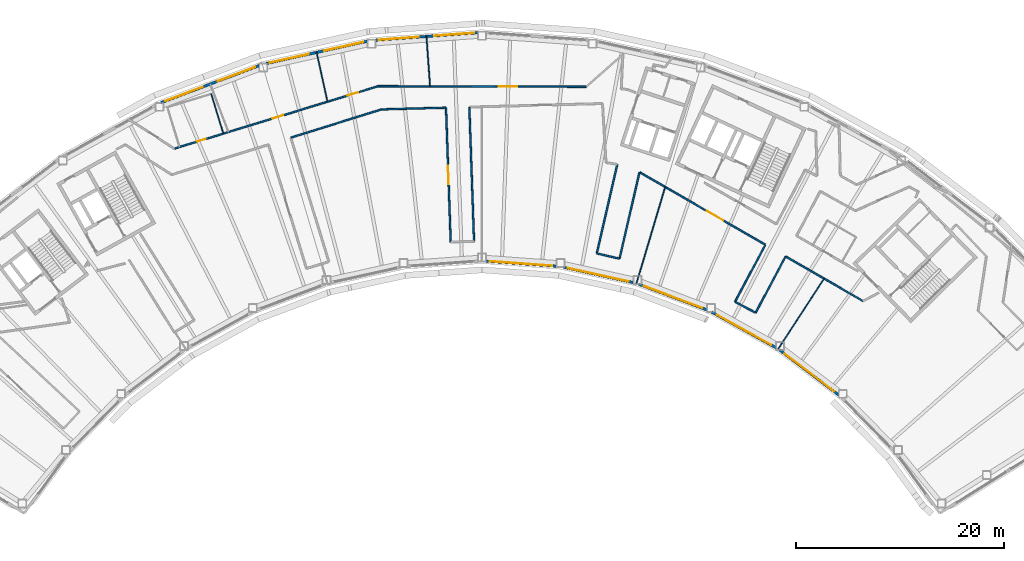
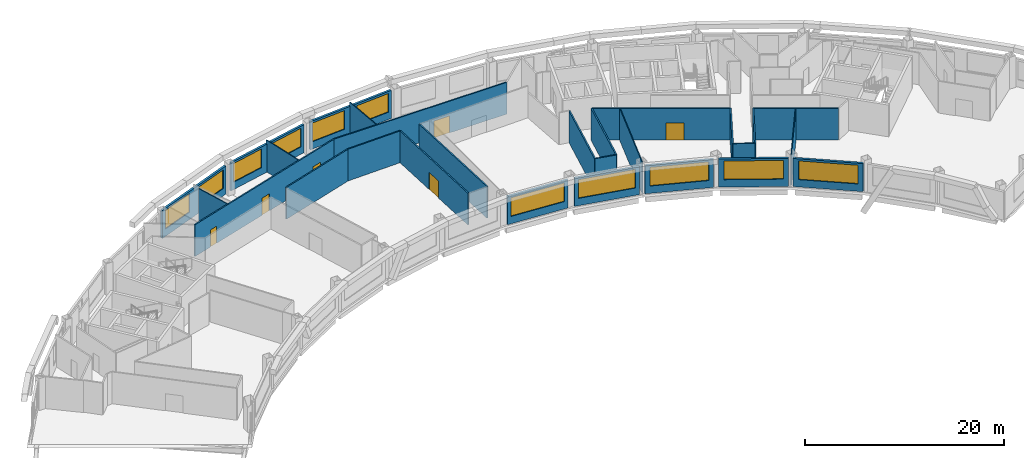
# One storey, part 7 of 13: 27 walls, 11 windows, 6 doors, 17 openings.
"""IFC4 building model written with IfcOpenShell, lengths in metres."""

from ifc_helpers import new_model, si_unit, direction, frame, frame_2d, origin, place, context, subcontext, project, spatial, rectangle, extrude, material, layer, layer_set, type_object, element, fill, save


model = new_model("IFC4")

# Units and contexts
model_context = context("Model", 3, precision=1e-05, world=origin(), true_north=direction((0.0, 1.0)))
body_context = subcontext(model_context, "Body", "Model", "MODEL_VIEW")
ifc_project = project(units=[si_unit("LENGTHUNIT", "METRE"), si_unit("AREAUNIT", "SQUARE_METRE"), si_unit("VOLUMEUNIT", "CUBIC_METRE"), si_unit("PLANEANGLEUNIT", "RADIAN"), si_unit("MASSUNIT", "GRAM", prefix="KILO")], contexts=[model_context])

# Site, building, storey
site_placement = place(None, origin())
site = spatial("IfcSite", under=ifc_project, at=site_placement, CompositionType="ELEMENT")
building_placement = place(site_placement, origin())
building = spatial("IfcBuilding", under=site, at=building_placement, Name="Tuul Gate Civic Tower", CompositionType="ELEMENT")
storey_placement = place(building_placement, frame((0.0, 0.0, 290.0)))
storey = spatial("IfcBuildingStorey", under=building, at=storey_placement, Name="Level 65", CompositionType="ELEMENT", Elevation=290.0)

# Wall, opening, door
ifc_material_1 = material(Name="Gypsum board partition")
ifc_layer_1 = layer(ifc_material_1, 0.14990234375)
ifc_layer_set_1 = layer_set([ifc_layer_1], Name="Gypsum board partition")
wall_type_1 = type_object("IfcWallType", Name="Corridor wall P150", PredefinedType="PARTITIONING", material=ifc_layer_set_1)
wall_1_placement = place(storey_placement, frame((-3.21337890625, 4.37158203125, 0.0), z_axis=(0.0, 0.0, 1.0), x_axis=(0.999996537245, -0.002631633958, 0.0)))
wall_1 = element("IfcWall", 1, at=wall_1_placement, inside=storey, type_object=wall_type_1, Name="p025", PredefinedType="PARTITIONING", context=body_context, shape_type="SweptSolid", body=[
    extrude(rectangle(XDim=20.03857421875, YDim=0.14990234375, at=frame_2d((10.019287109375, 0.0))), origin(), (0.0, 0.0, 1.0), 3.89990234375),
])
opening_1_placement = place(wall_1_placement, frame((11.620361328125, 0.0, 0.0)))
opening_1 = element("IfcOpeningElement", 2, at=opening_1_placement, cuts=wall_1, Name="Opening X-D03", PredefinedType="OPENING", context=body_context, shape_type="SweptSolid", body=[
    extrude(rectangle(XDim=1.800048828125, YDim=2.10009765625, at=frame_2d((0.89990234375, 1.050048828125))), frame((0.0, 0.0849609375, 0.0), z_axis=(0.0, -1.0, 0.0), x_axis=(1.0, 0.0, 0.0)), (0.0, 0.0, 1.0), 0.169921875),
])
ifc_material_2 = material(Name="Timber door leaf, double", Category="wood")
door_type_1 = type_object("IfcDoorType", Name="Door D18", OperationType="DOUBLE_DOOR_SINGLE_SWING", PredefinedType="DOOR", material=ifc_material_2)
door_1_placement = place(opening_1_placement, origin())
door_1 = element("IfcDoor", 3, at=door_1_placement, inside=storey, type_object=door_type_1, Name="Door X-D03", OperationType="DOUBLE_DOOR_SINGLE_SWING", OverallHeight=2.10009765625, OverallWidth=1.800048828125, PredefinedType="DOOR", context=body_context, shape_type="SweptSolid", body=[
    extrude(rectangle(XDim=1.800048828125, YDim=2.10009765625, at=frame_2d((0.89990234375, 1.050048828125))), frame((0.0, 0.02490234375, 0.0), z_axis=(0.0, -1.0, 0.0), x_axis=(1.0, 0.0, 0.0)), (0.0, 0.0, 1.0), 0.050048828125),
])
fill(opening_1, door_1)

# Wall, openings, doors
wall_2_placement = place(storey_placement, frame((-22.855712890625, -1.640869140625, 0.0), z_axis=(0.0, 0.0, 1.0), x_axis=(0.956204096899, 0.292700743207, 0.0)))
wall_2 = element("IfcWall", 4, at=wall_2_placement, inside=storey, type_object=wall_type_1, Name="p027", PredefinedType="PARTITIONING", context=body_context, shape_type="SweptSolid", body=[
    extrude(rectangle(XDim=20.54052734375, YDim=0.14990234375, at=frame_2d((10.270263671875, 0.0))), origin(), (0.0, 0.0, 1.0), 3.89990234375),
])
opening_2_placement = place(wall_2_placement, frame((17.437255859375, 0.0, 0.0)))
opening_2 = element("IfcOpeningElement", 5, at=opening_2_placement, cuts=wall_2, Name="Opening X-D04", PredefinedType="OPENING", context=body_context, shape_type="SweptSolid", body=[
    extrude(rectangle(XDim=1.10009765625, YDim=2.10009765625, at=frame_2d((0.550048828125, 1.050048828125))), frame((0.0, 0.0849609375, 0.0), z_axis=(0.0, -1.0, 0.0), x_axis=(1.0, 0.0, 0.0)), (0.0, 0.0, 1.0), 0.169921875),
])
opening_3_placement = place(wall_2_placement, frame((9.89013671875, 0.0, 0.0)))
opening_3 = element("IfcOpeningElement", 6, at=opening_3_placement, cuts=wall_2, Name="Opening X-D05", PredefinedType="OPENING", context=body_context, shape_type="SweptSolid", body=[
    extrude(rectangle(XDim=1.10009765625, YDim=2.10009765625, at=frame_2d((0.550048828125, 1.050048828125))), frame((0.0, 0.0849609375, 0.0), z_axis=(0.0, -1.0, 0.0), x_axis=(1.0, 0.0, 0.0)), (0.0, 0.0, 1.0), 0.169921875),
])
opening_4_placement = place(wall_2_placement, frame((2.278076171875, 0.0, 0.0)))
opening_4 = element("IfcOpeningElement", 7, at=opening_4_placement, cuts=wall_2, Name="Opening X-D06", PredefinedType="OPENING", context=body_context, shape_type="SweptSolid", body=[
    extrude(rectangle(XDim=0.89990234375, YDim=2.10009765625, at=frame_2d((0.449951171875, 1.050048828125))), frame((0.0, 0.0849609375, 0.0), z_axis=(0.0, -1.0, 0.0), x_axis=(1.0, 0.0, 0.0)), (0.0, 0.0, 1.0), 0.169921875),
])
ifc_material_3 = material(Name="Timber door leaf", Category="wood")
door_type_2 = type_object("IfcDoorType", Name="Door D09", OperationType="NOTDEFINED", PredefinedType="DOOR", material=ifc_material_3)
door_2_placement = place(opening_4_placement, origin())
door_2 = element("IfcDoor", 8, at=door_2_placement, inside=storey, type_object=door_type_2, Name="Door X-D06", OperationType="SINGLE_SWING_RIGHT", OverallHeight=2.10009765625, OverallWidth=0.89990234375, PredefinedType="DOOR", context=body_context, shape_type="SweptSolid", body=[
    extrude(rectangle(XDim=0.89990234375, YDim=2.10009765625, at=frame_2d((0.449951171875, 1.050048828125))), frame((0.0, 0.02490234375, 0.0), z_axis=(0.0, -1.0, 0.0), x_axis=(1.0, 0.0, 0.0)), (0.0, 0.0, 1.0), 0.050048828125),
])
fill(opening_4, door_2)
ifc_material_4 = material(Name="Timber door leaf", Category="wood")
door_type_3 = type_object("IfcDoorType", Name="Door D11", OperationType="NOTDEFINED", PredefinedType="DOOR", material=ifc_material_4)
door_3_placement = place(opening_2_placement, origin())
door_3 = element("IfcDoor", 9, at=door_3_placement, inside=storey, type_object=door_type_3, Name="Door X-D04", OperationType="SINGLE_SWING_RIGHT", OverallHeight=2.10009765625, OverallWidth=1.10009765625, PredefinedType="DOOR", context=body_context, shape_type="SweptSolid", body=[
    extrude(rectangle(XDim=1.10009765625, YDim=2.10009765625, at=frame_2d((0.550048828125, 1.050048828125))), frame((0.0, 0.02490234375, 0.0), z_axis=(0.0, -1.0, 0.0), x_axis=(1.0, 0.0, 0.0)), (0.0, 0.0, 1.0), 0.050048828125),
])
fill(opening_2, door_3)
door_4_placement = place(opening_3_placement, origin())
door_4 = element("IfcDoor", 10, at=door_4_placement, inside=storey, type_object=door_type_3, Name="Door X-D05", OperationType="SINGLE_SWING_RIGHT", OverallHeight=2.10009765625, OverallWidth=1.10009765625, PredefinedType="DOOR", context=body_context, shape_type="SweptSolid", body=[
    extrude(rectangle(XDim=1.10009765625, YDim=2.10009765625, at=frame_2d((0.550048828125, 1.050048828125))), frame((0.0, 0.02490234375, 0.0), z_axis=(0.0, -1.0, 0.0), x_axis=(1.0, 0.0, 0.0)), (0.0, 0.0, 1.0), 0.050048828125),
])
fill(opening_3, door_4)

# Wall, opening, door
wall_3_placement = place(storey_placement, frame((21.993408203125, -3.923828125, 0.0), z_axis=(0.0, 0.0, 1.0), x_axis=(0.866338745538, -0.499456883004, 0.0)))
wall_3 = element("IfcWall", 11, at=wall_3_placement, inside=storey, type_object=wall_type_1, Name="p048", PredefinedType="PARTITIONING", context=body_context, shape_type="SweptSolid", body=[
    extrude(rectangle(XDim=13.955078125, YDim=0.14990234375, at=frame_2d((6.9775390625, 0.0))), origin(), (0.0, 0.0, 1.0), 3.89990234375),
])
opening_5_placement = place(wall_3_placement, frame((7.491455078125, 0.0, 0.0)))
opening_5 = element("IfcOpeningElement", 12, at=opening_5_placement, cuts=wall_3, Name="Opening X-D09", PredefinedType="OPENING", context=body_context, shape_type="SweptSolid", body=[
    extrude(rectangle(XDim=1.800048828125, YDim=2.10009765625, at=frame_2d((0.89990234375, 1.050048828125))), frame((0.0, 0.0849609375, 0.0), z_axis=(0.0, -1.0, 0.0), x_axis=(1.0, 0.0, 0.0)), (0.0, 0.0, 1.0), 0.169921875),
])
door_5_placement = place(opening_5_placement, frame((1.800048828125, 0.0, 0.0), z_axis=(0.0, 0.0, 1.0), x_axis=(-1.0, 0.0, 0.0)))
door_5 = element("IfcDoor", 13, at=door_5_placement, inside=storey, type_object=door_type_1, Name="Door X-D09", OperationType="DOUBLE_DOOR_SINGLE_SWING", OverallHeight=2.10009765625, OverallWidth=1.800048828125, PredefinedType="DOOR", context=body_context, shape_type="SweptSolid", body=[
    extrude(rectangle(XDim=1.800048828125, YDim=2.10009765625, at=frame_2d((0.900146484375, 1.050048828125))), frame((0.0, 0.02490234375, 0.0), z_axis=(0.0, -1.0, 0.0), x_axis=(1.0, 0.0, 0.0)), (0.0, 0.0, 1.0), 0.050048828125),
])
fill(opening_5, door_5)

# Walls
wall_4_placement = place(storey_placement, frame((36.069091796875, -12.038818359375, 0.0), z_axis=(0.0, 0.0, 1.0), x_axis=(0.866348277937, -0.499440348105, 0.0)))
element("IfcWall", 14, at=wall_4_placement, inside=storey, type_object=wall_type_1, Name="p049", PredefinedType="PARTITIONING", context=body_context, shape_type="SweptSolid", body=[
    extrude(rectangle(XDim=8.591552734375, YDim=0.14990234375, at=frame_2d((4.2958984375, 0.0))), origin(), (0.0, 0.0, 1.0), 3.89990234375),
])
wall_5_placement = place(storey_placement, frame((31.176513671875, -16.40283203125, 0.0), z_axis=(0.0, 0.0, 1.0), x_axis=(0.469487753486, 0.88293898392, 0.0)))
element("IfcWall", 15, at=wall_5_placement, inside=storey, type_object=wall_type_1, Name="p052", PredefinedType="PARTITIONING", context=body_context, shape_type="SweptSolid", body=[
    extrude(rectangle(XDim=6.20849609375, YDim=0.14990234375, at=frame_2d((3.104248046875, 0.0))), origin(), (0.0, 0.0, 1.0), 3.89990234375),
])
wall_6_placement = place(storey_placement, frame((31.1767578125, -16.40380859375, 0.0), z_axis=(0.0, 0.0, 1.0), x_axis=(0.88294134125, -0.469483320163, 0.0)))
element("IfcWall", 16, at=wall_6_placement, inside=storey, type_object=wall_type_1, Name="p054", PredefinedType="PARTITIONING", context=body_context, shape_type="SweptSolid", body=[
    extrude(rectangle(XDim=2.24853515625, YDim=0.14990234375, at=frame_2d((1.124267578125, 0.0))), origin(), (0.0, 0.0, 1.0), 3.89990234375),
])
wall_7_placement = place(storey_placement, frame((33.1630859375, -17.458984375, 0.0), z_axis=(0.0, 0.0, 1.0), x_axis=(0.469504641219, 0.882930003949, 0.0)))
element("IfcWall", 17, at=wall_7_placement, inside=storey, type_object=wall_type_1, Name="p055", PredefinedType="PARTITIONING", context=body_context, shape_type="SweptSolid", body=[
    extrude(rectangle(XDim=6.129638671875, YDim=0.14990234375, at=frame_2d((3.06494140625, 0.0))), origin(), (0.0, 0.0, 1.0), 3.89990234375),
])
wall_8_placement = place(storey_placement, frame((-2.88818359375, 2.138427734375, 0.0), z_axis=(0.0, 0.0, 1.0), x_axis=(0.999648112488, 0.026526424561, 0.0)))
element("IfcWall", 18, at=wall_8_placement, inside=storey, type_object=wall_type_1, Name="p058", PredefinedType="PARTITIONING", context=body_context, shape_type="SweptSolid", body=[
    extrude(rectangle(XDim=6.194091796875, YDim=0.14990234375, at=frame_2d((3.09716796875, 0.0))), origin(), (0.0, 0.0, 1.0), 3.89990234375),
])
wall_9_placement = place(storey_placement, frame((17.8525390625, -11.740478515625, 0.0), z_axis=(0.0, 0.0, 1.0), x_axis=(0.224944785676, 0.974371512, 0.0)))
element("IfcWall", 19, at=wall_9_placement, inside=storey, type_object=wall_type_1, Name="p062", PredefinedType="PARTITIONING", context=body_context, shape_type="SweptSolid", body=[
    extrude(rectangle(XDim=8.781494140625, YDim=0.14990234375, at=frame_2d((4.390625, 0.0))), origin(), (0.0, 0.0, 1.0), 3.89990234375),
])
wall_10_placement = place(storey_placement, frame((17.853271484375, -11.741455078125, 0.0), z_axis=(0.0, 0.0, 1.0), x_axis=(0.974365570195, -0.224970521667, 0.0)))
element("IfcWall", 20, at=wall_10_placement, inside=storey, type_object=wall_type_1, Name="p063", PredefinedType="PARTITIONING", context=body_context, shape_type="SweptSolid", body=[
    extrude(rectangle(XDim=2.24853515625, YDim=0.14990234375, at=frame_2d((1.124267578125, 0.0))), origin(), (0.0, 0.0, 1.0), 3.89990234375),
])
wall_11_placement = place(storey_placement, frame((20.044921875, -12.24658203125, 0.0), z_axis=(0.0, 0.0, 1.0), x_axis=(0.224949406765, 0.974370445157, 0.0)))
element("IfcWall", 21, at=wall_11_placement, inside=storey, type_object=wall_type_1, Name="p064", PredefinedType="PARTITIONING", context=body_context, shape_type="SweptSolid", body=[
    extrude(rectangle(XDim=8.5283203125, YDim=0.14990234375, at=frame_2d((4.26416015625, 0.0))), origin(), (0.0, 0.0, 1.0), 3.89990234375),
])
wall_12_placement = place(storey_placement, frame((-11.6083984375, -0.576904296875, 0.0), z_axis=(0.0, 0.0, 1.0), x_axis=(0.954751837595, 0.297403645926, 0.0)))
element("IfcWall", 22, at=wall_12_placement, inside=storey, type_object=wall_type_1, Name="p069", PredefinedType="PARTITIONING", context=body_context, shape_type="SweptSolid", body=[
    extrude(rectangle(XDim=9.126953125, YDim=0.14990234375, at=frame_2d((4.5634765625, 0.0))), origin(), (0.0, 0.0, 1.0), 3.89990234375),
])

# Wall, opening, door
wall_13_placement = place(storey_placement, frame((3.32470703125, 2.282958984375, 0.0), z_axis=(0.0, 0.0, 1.0), x_axis=(0.034876981924, -0.999391612999, 0.0)))
wall_13 = element("IfcWall", 23, at=wall_13_placement, inside=storey, type_object=wall_type_1, Name="p070", PredefinedType="PARTITIONING", context=body_context, shape_type="SweptSolid", body=[
    extrude(rectangle(XDim=12.93603515625, YDim=0.14990234375, at=frame_2d((6.468017578125, 0.0))), origin(), (0.0, 0.0, 1.0), 3.89990234375),
])
opening_6_placement = place(wall_13_placement, frame((5.568115234375, 0.0, 0.0)))
opening_6 = element("IfcOpeningElement", 24, at=opening_6_placement, cuts=wall_13, Name="Opening X-D11", PredefinedType="OPENING", context=body_context, shape_type="SweptSolid", body=[
    extrude(rectangle(XDim=1.800048828125, YDim=2.10009765625, at=frame_2d((0.89990234375, 1.050048828125))), frame((0.0, 0.0849609375, 0.0), z_axis=(0.0, -1.0, 0.0), x_axis=(1.0, 0.0, 0.0)), (0.0, 0.0, 1.0), 0.169921875),
])
door_6_placement = place(opening_6_placement, frame((1.800048828125, 0.0, 0.0), z_axis=(0.0, 0.0, 1.0), x_axis=(-1.0, 0.0, 0.0)))
door_6 = element("IfcDoor", 25, at=door_6_placement, inside=storey, type_object=door_type_1, Name="Door X-D11", OperationType="DOUBLE_DOOR_SINGLE_SWING", OverallHeight=2.10009765625, OverallWidth=1.800048828125, PredefinedType="DOOR", context=body_context, shape_type="SweptSolid", body=[
    extrude(rectangle(XDim=1.800048828125, YDim=2.10009765625, at=frame_2d((0.900146484375, 1.050048828125))), frame((0.0, 0.02490234375, 0.0), z_axis=(0.0, -1.0, 0.0), x_axis=(1.0, 0.0, 0.0)), (0.0, 0.0, 1.0), 0.050048828125),
])
fill(opening_6, door_6)

# Wall
wall_14_placement = place(storey_placement, frame((5.573974609375, 2.34228515625, 0.0), z_axis=(0.0, 0.0, 1.0), x_axis=(0.034891271808, -0.999391114205, 0.0)))
element("IfcWall", 26, at=wall_14_placement, inside=storey, type_object=wall_type_1, Name="p073", PredefinedType="PARTITIONING", context=body_context, shape_type="SweptSolid", body=[
    extrude(rectangle(XDim=12.916748046875, YDim=0.14990234375, at=frame_2d((6.45849609375, 0.0))), origin(), (0.0, 0.0, 1.0), 3.89990234375),
])

# Wall, openings, windows
ifc_material_5 = material(Name="Precast concrete C40/50", Category="concrete")
ifc_layer_2 = layer(ifc_material_5, 0.25)
ifc_layer_set_2 = layer_set([ifc_layer_2], Name="Precast concrete C40/50")
wall_type_2 = type_object("IfcWallType", Name="External wall", PredefinedType="STANDARD", material=ifc_layer_set_2)
wall_15_placement = place(storey_placement, frame((6.387939453125, 9.52880859375, 0.0), z_axis=(0.0, 0.0, 1.0), x_axis=(-0.997387042659, -0.072243249762, 0.0)))
wall_15 = element("IfcWall", 27, at=wall_15_placement, inside=storey, type_object=wall_type_2, Name="External wall", PredefinedType="STANDARD", context=body_context, shape_type="SweptSolid", body=[
    extrude(rectangle(XDim=9.874755859375, YDim=0.25, at=frame_2d((4.9375, 0.0))), origin(), (0.0, 0.0, 1.0), 3.449951171875),
])
opening_7_placement = place(wall_15_placement, frame((0.350341796875, 0.0, 0.89990234375)))
opening_7 = element("IfcOpeningElement", 28, at=opening_7_placement, cuts=wall_15, Name="Opening W22", PredefinedType="OPENING", context=body_context, shape_type="SweptSolid", body=[
    extrude(rectangle(XDim=3.85009765625, YDim=2.300048828125, at=frame_2d((1.925048828125, 1.14990234375))), frame((0.0, 0.135009765625, 0.0), z_axis=(0.0, -1.0, 0.0), x_axis=(1.0, 0.0, 0.0)), (0.0, 0.0, 1.0), 0.27001953125),
])
opening_8_placement = place(wall_15_placement, frame((5.721435546875, 0.0, 0.89990234375)))
opening_8 = element("IfcOpeningElement", 29, at=opening_8_placement, cuts=wall_15, Name="Opening W22", PredefinedType="OPENING", context=body_context, shape_type="SweptSolid", body=[
    extrude(rectangle(XDim=3.85009765625, YDim=2.300048828125, at=frame_2d((1.925048828125, 1.14990234375))), frame((0.0, 0.135009765625, 0.0), z_axis=(0.0, -1.0, 0.0), x_axis=(1.0, 0.0, 0.0)), (0.0, 0.0, 1.0), 0.27001953125),
])
ifc_material_6 = material(Name="Glass", Category="glass")
window_type_1 = type_object("IfcWindowType", Name="Window W22 3850 x 2300", PartitioningType="SINGLE_PANEL", PredefinedType="WINDOW", material=ifc_material_6)
window_1_placement = place(opening_7_placement, origin())
window_1 = element("IfcWindow", 30, at=window_1_placement, inside=storey, type_object=window_type_1, Name="Window", OverallHeight=2.300048828125, OverallWidth=3.85009765625, PartitioningType="SINGLE_PANEL", PredefinedType="WINDOW", context=body_context, shape_type="SweptSolid", body=[
    extrude(rectangle(XDim=3.85009765625, YDim=2.300048828125, at=frame_2d((1.925048828125, 1.14990234375))), frame((0.0, 0.030029296875, 0.0), z_axis=(0.0, -1.0, 0.0), x_axis=(1.0, 0.0, 0.0)), (0.0, 0.0, 1.0), 0.06005859375),
])
fill(opening_7, window_1)
window_2_placement = place(opening_8_placement, origin())
window_2 = element("IfcWindow", 31, at=window_2_placement, inside=storey, type_object=window_type_1, Name="Window", OverallHeight=2.300048828125, OverallWidth=3.85009765625, PartitioningType="SINGLE_PANEL", PredefinedType="WINDOW", context=body_context, shape_type="SweptSolid", body=[
    extrude(rectangle(XDim=3.85009765625, YDim=2.300048828125, at=frame_2d((1.925048828125, 1.14990234375))), frame((0.0, 0.030029296875, 0.0), z_axis=(0.0, -1.0, 0.0), x_axis=(1.0, 0.0, 0.0)), (0.0, 0.0, 1.0), 0.06005859375),
])
fill(opening_8, window_2)

wall_16_placement = place(storey_placement, frame((-4.260986328125, 8.705078125, 0.0), z_axis=(0.0, 0.0, 1.0), x_axis=(-0.976568573814, -0.215206460496, 0.0)))
wall_16 = element("IfcWall", 32, at=wall_16_placement, inside=storey, type_object=wall_type_2, Name="External wall", PredefinedType="STANDARD", context=body_context, shape_type="SweptSolid", body=[
    extrude(rectangle(XDim=9.958251953125, YDim=0.25, at=frame_2d((4.97900390625, 0.0))), origin(), (0.0, 0.0, 1.0), 3.449951171875),
])
opening_9_placement = place(wall_16_placement, frame((0.39013671875, 0.0, 0.89990234375)))
opening_9 = element("IfcOpeningElement", 33, at=opening_9_placement, cuts=wall_16, Name="Opening W22", PredefinedType="OPENING", context=body_context, shape_type="SweptSolid", body=[
    extrude(rectangle(XDim=3.85009765625, YDim=2.300048828125, at=frame_2d((1.925048828125, 1.14990234375))), frame((0.0, 0.135009765625, 0.0), z_axis=(0.0, -1.0, 0.0), x_axis=(1.0, 0.0, 0.0)), (0.0, 0.0, 1.0), 0.27001953125),
])
opening_10_placement = place(wall_16_placement, frame((5.761474609375, 0.0, 0.89990234375)))
opening_10 = element("IfcOpeningElement", 34, at=opening_10_placement, cuts=wall_16, Name="Opening W22", PredefinedType="OPENING", context=body_context, shape_type="SweptSolid", body=[
    extrude(rectangle(XDim=3.85009765625, YDim=2.300048828125, at=frame_2d((1.925048828125, 1.14990234375))), frame((0.0, 0.135009765625, 0.0), z_axis=(0.0, -1.0, 0.0), x_axis=(1.0, 0.0, 0.0)), (0.0, 0.0, 1.0), 0.27001953125),
])
window_3_placement = place(opening_9_placement, origin())
window_3 = element("IfcWindow", 35, at=window_3_placement, inside=storey, type_object=window_type_1, Name="Window", OverallHeight=2.300048828125, OverallWidth=3.85009765625, PartitioningType="SINGLE_PANEL", PredefinedType="WINDOW", context=body_context, shape_type="SweptSolid", body=[
    extrude(rectangle(XDim=3.85009765625, YDim=2.300048828125, at=frame_2d((1.925048828125, 1.14990234375))), frame((0.0, 0.030029296875, 0.0), z_axis=(0.0, -1.0, 0.0), x_axis=(1.0, 0.0, 0.0)), (0.0, 0.0, 1.0), 0.06005859375),
])
fill(opening_9, window_3)
window_4_placement = place(opening_10_placement, origin())
window_4 = element("IfcWindow", 36, at=window_4_placement, inside=storey, type_object=window_type_1, Name="Window", OverallHeight=2.300048828125, OverallWidth=3.85009765625, PartitioningType="SINGLE_PANEL", PredefinedType="WINDOW", context=body_context, shape_type="SweptSolid", body=[
    extrude(rectangle(XDim=3.85009765625, YDim=2.300048828125, at=frame_2d((1.925048828125, 1.14990234375))), frame((0.0, 0.030029296875, 0.0), z_axis=(0.0, -1.0, 0.0), x_axis=(1.0, 0.0, 0.0)), (0.0, 0.0, 1.0), 0.06005859375),
])
fill(opening_10, window_4)

wall_17_placement = place(storey_placement, frame((-14.68798828125, 6.35888671875, 0.0), z_axis=(0.0, 0.0, 1.0), x_axis=(-0.9353443931, -0.353738415071, 0.0)))
wall_17 = element("IfcWall", 37, at=wall_17_placement, inside=storey, type_object=wall_type_2, Name="External wall", PredefinedType="STANDARD", context=body_context, shape_type="SweptSolid", body=[
    extrude(rectangle(XDim=10.103515625, YDim=0.25, at=frame_2d((5.0517578125, 0.0))), origin(), (0.0, 0.0, 1.0), 3.449951171875),
])
opening_11_placement = place(wall_17_placement, frame((0.423583984375, 0.0, 0.89990234375)))
opening_11 = element("IfcOpeningElement", 38, at=opening_11_placement, cuts=wall_17, Name="Opening W22", PredefinedType="OPENING", context=body_context, shape_type="SweptSolid", body=[
    extrude(rectangle(XDim=3.85009765625, YDim=2.300048828125, at=frame_2d((1.925048828125, 1.14990234375))), frame((0.0, 0.135009765625, 0.0), z_axis=(0.0, -1.0, 0.0), x_axis=(1.0, 0.0, 0.0)), (0.0, 0.0, 1.0), 0.27001953125),
])
opening_12_placement = place(wall_17_placement, frame((5.794921875, 0.0, 0.89990234375)))
opening_12 = element("IfcOpeningElement", 39, at=opening_12_placement, cuts=wall_17, Name="Opening W22", PredefinedType="OPENING", context=body_context, shape_type="SweptSolid", body=[
    extrude(rectangle(XDim=3.85009765625, YDim=2.300048828125, at=frame_2d((1.925048828125, 1.14990234375))), frame((0.0, 0.135009765625, 0.0), z_axis=(0.0, -1.0, 0.0), x_axis=(1.0, 0.0, 0.0)), (0.0, 0.0, 1.0), 0.27001953125),
])
window_5_placement = place(opening_11_placement, origin())
window_5 = element("IfcWindow", 40, at=window_5_placement, inside=storey, type_object=window_type_1, Name="Window", OverallHeight=2.300048828125, OverallWidth=3.85009765625, PartitioningType="SINGLE_PANEL", PredefinedType="WINDOW", context=body_context, shape_type="SweptSolid", body=[
    extrude(rectangle(XDim=3.85009765625, YDim=2.300048828125, at=frame_2d((1.925048828125, 1.14990234375))), frame((0.0, 0.030029296875, 0.0), z_axis=(0.0, -1.0, 0.0), x_axis=(1.0, 0.0, 0.0)), (0.0, 0.0, 1.0), 0.06005859375),
])
fill(opening_11, window_5)
window_6_placement = place(opening_12_placement, origin())
window_6 = element("IfcWindow", 41, at=window_6_placement, inside=storey, type_object=window_type_1, Name="Window", OverallHeight=2.300048828125, OverallWidth=3.85009765625, PartitioningType="SINGLE_PANEL", PredefinedType="WINDOW", context=body_context, shape_type="SweptSolid", body=[
    extrude(rectangle(XDim=3.85009765625, YDim=2.300048828125, at=frame_2d((1.925048828125, 1.14990234375))), frame((0.0, 0.030029296875, 0.0), z_axis=(0.0, -1.0, 0.0), x_axis=(1.0, 0.0, 0.0)), (0.0, 0.0, 1.0), 0.06005859375),
])
fill(opening_12, window_6)

# Wall, opening, window
wall_18_placement = place(storey_placement, frame((7.18798828125, -12.478759765625, 0.0), z_axis=(0.0, 0.0, 1.0), x_axis=(0.997384795983, -0.072274260578, 0.0)))
wall_18 = element("IfcWall", 42, at=wall_18_placement, inside=storey, type_object=wall_type_2, Name="External wall", PredefinedType="STANDARD", context=body_context, shape_type="SweptSolid", body=[
    extrude(rectangle(XDim=6.789794921875, YDim=0.25, at=frame_2d((3.39501953125, 0.0))), origin(), (0.0, 0.0, 1.0), 3.449951171875),
])
opening_13_placement = place(wall_18_placement, frame((0.371337890625, 0.0, 0.89990234375)))
opening_13 = element("IfcOpeningElement", 43, at=opening_13_placement, cuts=wall_18, Name="Opening W26", PredefinedType="OPENING", context=body_context, shape_type="SweptSolid", body=[
    extrude(rectangle(XDim=6.0, YDim=2.300048828125, at=frame_2d((3.0, 1.14990234375))), frame((0.0, 0.135009765625, 0.0), z_axis=(0.0, -1.0, 0.0), x_axis=(1.0, 0.0, 0.0)), (0.0, 0.0, 1.0), 0.27001953125),
])
ifc_material_7 = material(Name="Glass", Category="glass")
window_type_2 = type_object("IfcWindowType", Name="Window W26 6000 x 2300", PartitioningType="SINGLE_PANEL", PredefinedType="WINDOW", material=ifc_material_7)
window_7_placement = place(opening_13_placement, origin())
window_7 = element("IfcWindow", 44, at=window_7_placement, inside=storey, type_object=window_type_2, Name="Window", OverallHeight=2.300048828125, OverallWidth=6.0, PartitioningType="SINGLE_PANEL", PredefinedType="WINDOW", context=body_context, shape_type="SweptSolid", body=[
    extrude(rectangle(XDim=6.0, YDim=2.300048828125, at=frame_2d((3.0, 1.14990234375))), frame((0.0, 0.030029296875, 0.0), z_axis=(0.0, -1.0, 0.0), x_axis=(1.0, 0.0, 0.0)), (0.0, 0.0, 1.0), 0.06005859375),
])
fill(opening_13, window_7)

wall_19_placement = place(storey_placement, frame((14.6669921875, -13.072998046875, 0.0), z_axis=(0.0, 0.0, 1.0), x_axis=(0.976561146318, -0.215240162382, 0.0)))
wall_19 = element("IfcWall", 45, at=wall_19_placement, inside=storey, type_object=wall_type_2, Name="External wall", PredefinedType="STANDARD", context=body_context, shape_type="SweptSolid", body=[
    extrude(rectangle(XDim=6.867919921875, YDim=0.25, at=frame_2d((3.43408203125, 0.0))), origin(), (0.0, 0.0, 1.0), 3.449951171875),
])
opening_14_placement = place(wall_19_placement, frame((0.409912109375, 0.0, 0.89990234375)))
opening_14 = element("IfcOpeningElement", 46, at=opening_14_placement, cuts=wall_19, Name="Opening W26", PredefinedType="OPENING", context=body_context, shape_type="SweptSolid", body=[
    extrude(rectangle(XDim=6.0, YDim=2.300048828125, at=frame_2d((3.0, 1.14990234375))), frame((0.0, 0.135009765625, 0.0), z_axis=(0.0, -1.0, 0.0), x_axis=(1.0, 0.0, 0.0)), (0.0, 0.0, 1.0), 0.27001953125),
])
window_8_placement = place(opening_14_placement, origin())
window_8 = element("IfcWindow", 47, at=window_8_placement, inside=storey, type_object=window_type_2, Name="Window", OverallHeight=2.300048828125, OverallWidth=6.0, PartitioningType="SINGLE_PANEL", PredefinedType="WINDOW", context=body_context, shape_type="SweptSolid", body=[
    extrude(rectangle(XDim=6.0, YDim=2.300048828125, at=frame_2d((3.0, 1.14990234375))), frame((0.0, 0.030029296875, 0.0), z_axis=(0.0, -1.0, 0.0), x_axis=(1.0, 0.0, 0.0)), (0.0, 0.0, 1.0), 0.06005859375),
])
fill(opening_14, window_8)

wall_20_placement = place(storey_placement, frame((21.913818359375, -14.70703125, 0.0), z_axis=(0.0, 0.0, 1.0), x_axis=(0.93536593895, -0.353681438943, 0.0)))
wall_20 = element("IfcWall", 48, at=wall_20_placement, inside=storey, type_object=wall_type_2, Name="External wall", PredefinedType="STANDARD", context=body_context, shape_type="SweptSolid", body=[
    extrude(rectangle(XDim=7.0146484375, YDim=0.25, at=frame_2d((3.50732421875, 0.0))), origin(), (0.0, 0.0, 1.0), 3.449951171875),
])
opening_15_placement = place(wall_20_placement, frame((0.523193359375, 0.0, 0.89990234375)))
opening_15 = element("IfcOpeningElement", 49, at=opening_15_placement, cuts=wall_20, Name="Opening W26", PredefinedType="OPENING", context=body_context, shape_type="SweptSolid", body=[
    extrude(rectangle(XDim=6.0, YDim=2.300048828125, at=frame_2d((3.0, 1.14990234375))), frame((0.0, 0.135009765625, 0.0), z_axis=(0.0, -1.0, 0.0), x_axis=(1.0, 0.0, 0.0)), (0.0, 0.0, 1.0), 0.27001953125),
])
window_9_placement = place(opening_15_placement, origin())
window_9 = element("IfcWindow", 50, at=window_9_placement, inside=storey, type_object=window_type_2, Name="Window", OverallHeight=2.300048828125, OverallWidth=6.0, PartitioningType="SINGLE_PANEL", PredefinedType="WINDOW", context=body_context, shape_type="SweptSolid", body=[
    extrude(rectangle(XDim=6.0, YDim=2.300048828125, at=frame_2d((3.0, 1.14990234375))), frame((0.0, 0.030029296875, 0.0), z_axis=(0.0, -1.0, 0.0), x_axis=(1.0, 0.0, 0.0)), (0.0, 0.0, 1.0), 0.06005859375),
])
fill(opening_15, window_9)

wall_21_placement = place(storey_placement, frame((28.926513671875, -17.39208984375, 0.0), z_axis=(0.0, 0.0, 1.0), x_axis=(0.874628863521, -0.484793101328, 0.0)))
wall_21 = element("IfcWall", 51, at=wall_21_placement, inside=storey, type_object=wall_type_2, Name="External wall", PredefinedType="STANDARD", context=body_context, shape_type="SweptSolid", body=[
    extrude(rectangle(XDim=7.075439453125, YDim=0.25, at=frame_2d((3.53759765625, 0.0))), origin(), (0.0, 0.0, 1.0), 3.449951171875),
])
opening_16_placement = place(wall_21_placement, frame((0.556396484375, 0.0, 0.89990234375)))
opening_16 = element("IfcOpeningElement", 52, at=opening_16_placement, cuts=wall_21, Name="Opening W26", PredefinedType="OPENING", context=body_context, shape_type="SweptSolid", body=[
    extrude(rectangle(XDim=6.0, YDim=2.300048828125, at=frame_2d((3.0, 1.14990234375))), frame((0.0, 0.135009765625, 0.0), z_axis=(0.0, -1.0, 0.0), x_axis=(1.0, 0.0, 0.0)), (0.0, 0.0, 1.0), 0.27001953125),
])
window_10_placement = place(opening_16_placement, origin())
window_10 = element("IfcWindow", 53, at=window_10_placement, inside=storey, type_object=window_type_2, Name="Window", OverallHeight=2.300048828125, OverallWidth=6.0, PartitioningType="SINGLE_PANEL", PredefinedType="WINDOW", context=body_context, shape_type="SweptSolid", body=[
    extrude(rectangle(XDim=6.0, YDim=2.300048828125, at=frame_2d((3.0, 1.14990234375))), frame((0.0, 0.030029296875, 0.0), z_axis=(0.0, -1.0, 0.0), x_axis=(1.0, 0.0, 0.0)), (0.0, 0.0, 1.0), 0.06005859375),
])
fill(opening_16, window_10)

wall_22_placement = place(storey_placement, frame((35.503173828125, -21.072021484375, 0.0), z_axis=(0.0, 0.0, 1.0), x_axis=(0.795582375141, -0.605845429433, 0.0)))
wall_22 = element("IfcWall", 54, at=wall_22_placement, inside=storey, type_object=wall_type_2, Name="External wall", PredefinedType="STANDARD", context=body_context, shape_type="SweptSolid", body=[
    extrude(rectangle(XDim=7.10400390625, YDim=0.25, at=frame_2d((3.552001953125, 0.0))), origin(), (0.0, 0.0, 1.0), 3.449951171875),
])
opening_17_placement = place(wall_22_placement, frame((0.562744140625, 0.0, 0.89990234375)))
opening_17 = element("IfcOpeningElement", 55, at=opening_17_placement, cuts=wall_22, Name="Opening W26", PredefinedType="OPENING", context=body_context, shape_type="SweptSolid", body=[
    extrude(rectangle(XDim=6.0, YDim=2.300048828125, at=frame_2d((3.0, 1.14990234375))), frame((0.0, 0.135009765625, 0.0), z_axis=(0.0, -1.0, 0.0), x_axis=(1.0, 0.0, 0.0)), (0.0, 0.0, 1.0), 0.27001953125),
])
window_11_placement = place(opening_17_placement, origin())
window_11 = element("IfcWindow", 56, at=window_11_placement, inside=storey, type_object=window_type_2, Name="Window", OverallHeight=2.300048828125, OverallWidth=6.0, PartitioningType="SINGLE_PANEL", PredefinedType="WINDOW", context=body_context, shape_type="SweptSolid", body=[
    extrude(rectangle(XDim=6.0, YDim=2.300048828125, at=frame_2d((3.0, 1.14990234375))), frame((0.0, 0.030029296875, 0.0), z_axis=(0.0, -1.0, 0.0), x_axis=(1.0, 0.0, 0.0)), (0.0, 0.0, 1.0), 0.06005859375),
])
fill(opening_17, window_11)

# Walls
ifc_material_8 = material(Name="Gypsum board partition")
ifc_layer_3 = layer(ifc_material_8, 0.10009765625)
ifc_layer_set_3 = layer_set([ifc_layer_3], Name="Gypsum board partition")
wall_type_3 = type_object("IfcWallType", Name="Partition P100", PredefinedType="PARTITIONING", material=ifc_layer_set_3)
wall_23_placement = place(storey_placement, frame((1.439697265625, 9.17529296875, 0.0), z_axis=(0.0, 0.0, 1.0), x_axis=(0.072238548936, -0.99738738314, 0.0)))
element("IfcWall", 57, at=wall_23_placement, inside=storey, type_object=wall_type_3, Name="p017", PredefinedType="PARTITIONING", context=body_context, shape_type="SweptSolid", body=[
    extrude(rectangle(XDim=4.82958984375, YDim=0.10009765625, at=frame_2d((2.414794921875, 0.0))), origin(), (0.0, 0.0, 1.0), 3.89990234375),
])
wall_24_placement = place(storey_placement, frame((-9.14599609375, 7.6337890625, 0.0), z_axis=(0.0, 0.0, 1.0), x_axis=(0.215210746728, -0.976567629247, 0.0)))
element("IfcWall", 58, at=wall_24_placement, inside=storey, type_object=wall_type_3, Name="p026", PredefinedType="PARTITIONING", context=body_context, shape_type="SweptSolid", body=[
    extrude(rectangle(XDim=4.871337890625, YDim=0.10009765625, at=frame_2d((2.435546875, 0.0))), origin(), (0.0, 0.0, 1.0), 3.89990234375),
])
wall_25_placement = place(storey_placement, frame((-19.307861328125, 3.638916015625, 0.0), z_axis=(0.0, 0.0, 1.0), x_axis=(0.292716544124, -0.956199259985, 0.0)))
element("IfcWall", 59, at=wall_25_placement, inside=storey, type_object=wall_type_3, Name="p031", PredefinedType="PARTITIONING", context=body_context, shape_type="SweptSolid", body=[
    extrude(rectangle(XDim=4.010009765625, YDim=0.10009765625, at=frame_2d((2.0048828125, 0.0))), origin(), (0.0, 0.0, 1.0), 3.89990234375),
])
wall_26_placement = place(storey_placement, frame((35.333984375, -20.949462890625, 0.0), z_axis=(0.0, 0.0, 1.0), x_axis=(0.546731113362, 0.837308240543, 0.0)))
element("IfcWall", 60, at=wall_26_placement, inside=storey, type_object=wall_type_3, Name="p043", PredefinedType="PARTITIONING", context=body_context, shape_type="SweptSolid", body=[
    extrude(rectangle(XDim=8.099365234375, YDim=0.10009765625, at=frame_2d((4.0498046875, 0.0))), origin(), (0.0, 0.0, 1.0), 3.89990234375),
])
wall_27_placement = place(storey_placement, frame((21.679443359375, -14.623779296875, 0.0), z_axis=(0.0, 0.0, 1.0), x_axis=(0.28522989895, 0.958459130451, 0.0)))
element("IfcWall", 61, at=wall_27_placement, inside=storey, type_object=wall_type_3, Name="p051", PredefinedType="PARTITIONING", context=body_context, shape_type="SweptSolid", body=[
    extrude(rectangle(XDim=9.690185546875, YDim=0.10009765625, at=frame_2d((4.84521484375, 0.0))), origin(), (0.0, 0.0, 1.0), 3.89990234375),
])

save(model, "model.ifc")
